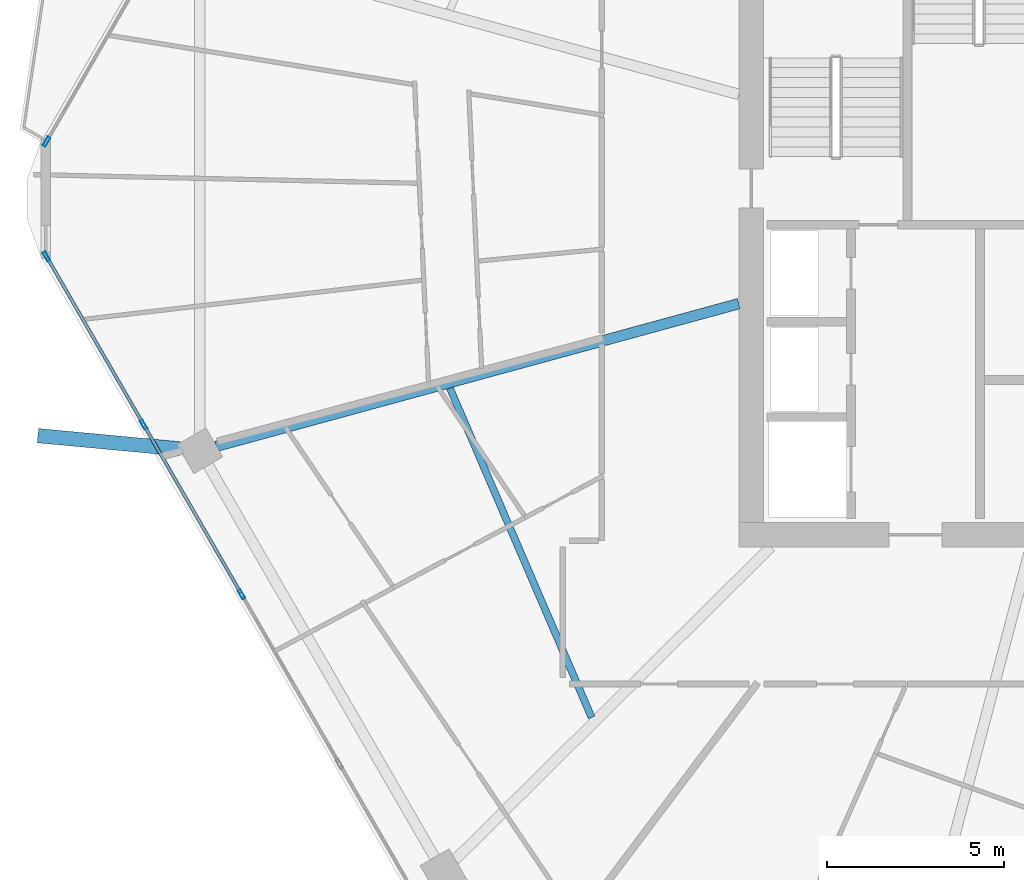
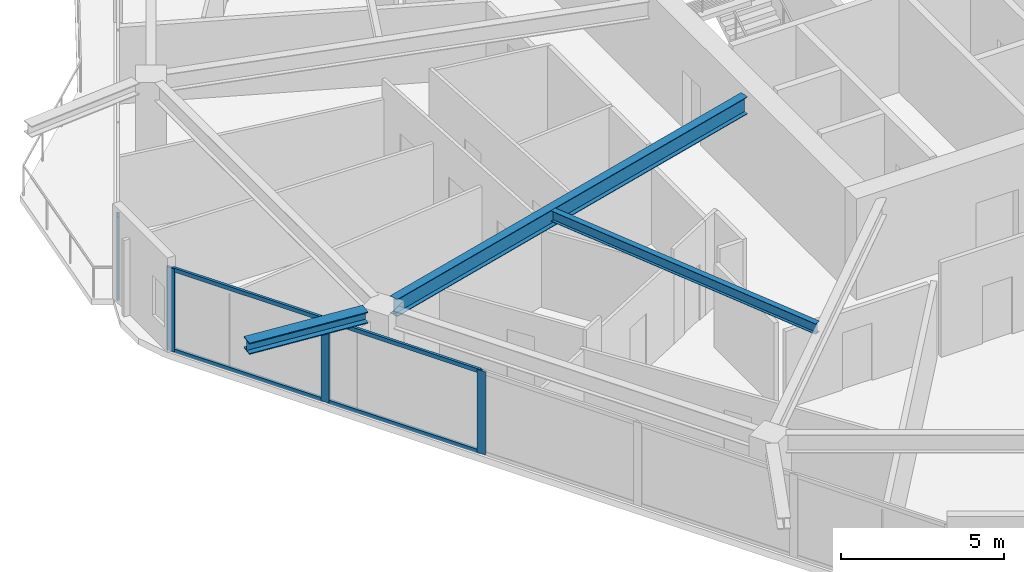
# One storey, part 5 of 27: 8 members, 3 beams, 2 elements without a shape of their own.
"""IFC4 building model written with IfcOpenShell, lengths in metres."""

from ifc_helpers import new_model, si_unit, direction, frame, origin, origin_2d, place, context, subcontext, project, spatial, hollow_rectangle, i_section, extrude, material, material_profile, profile_set, type_object, element, aggregate, save


model = new_model("IFC4")

# Units and contexts
model_context = context("Model", 3, precision=1e-05, world=origin(), true_north=direction((0.0, 1.0)))
body_context = subcontext(model_context, "Body", "Model", "MODEL_VIEW")
ifc_project = project(units=[si_unit("LENGTHUNIT", "METRE"), si_unit("AREAUNIT", "SQUARE_METRE"), si_unit("VOLUMEUNIT", "CUBIC_METRE"), si_unit("PLANEANGLEUNIT", "RADIAN"), si_unit("MASSUNIT", "GRAM", prefix="KILO")], contexts=[model_context])

# Site, building, storey
site_placement = place(None, origin())
site = spatial("IfcSite", under=ifc_project, at=site_placement, CompositionType="ELEMENT")
building_placement = place(site_placement, origin())
building = spatial("IfcBuilding", under=site, at=building_placement, Name="Zuhravey Tower", CompositionType="ELEMENT")
storey_placement = place(building_placement, frame((0.0, 0.0, 188.39990234375)))
storey = spatial("IfcBuildingStorey", under=building, at=storey_placement, Name="L47", CompositionType="ELEMENT", Elevation=188.39990234375)

# Curtain wall, members
ifc_material_1 = material(Name="Thermally broken anodised aluminium", Category="aluminium")
curtain_wall_type = type_object("IfcCurtainWallType", Name="Zone 1-2 Residential Curtain Wall CW3", PredefinedType="NOTDEFINED", material=ifc_material_1)
curtain_wall_1_placement = place(storey_placement, origin())
curtain_wall_1 = element("IfcCurtainWall", 1, at=curtain_wall_1_placement, inside=storey, type_object=curtain_wall_type, Name="L47 CW3 CW-L47-F4-1", PredefinedType="NOTDEFINED")
ifc_material_2 = material(Name="Anodised aluminium", Category="aluminium")
ifc_material_profile_1 = material_profile(ifc_material_2, hollow_rectangle(XDim=0.090087890625, YDim=0.284912109375, WallThickness=0.0048828125, at=origin_2d()), Name="ALU-RHS-90x285x5")
ifc_profile_set_1 = profile_set([ifc_material_profile_1], Name="Anodised aluminium")
member_type_1 = type_object("IfcMemberType", Name="Curtain-Wall Mullion 90x180", PredefinedType="MULLION", material=ifc_profile_set_1)
member_1_placement = place(storey_placement, frame((11.07275390625, 20.809326171875, 0.0), z_axis=(0.0, 0.0, 1.0), x_axis=(-0.866025138215, -0.500000459979, 0.0)))
member_1 = element("IfcMember", 2, at=member_1_placement, type_object=member_type_1, Name="CW3 mullion 4", PredefinedType="MULLION", context=body_context, shape_type="SweptSolid", body=[
    extrude(hollow_rectangle(XDim=0.090087890625, YDim=0.284912109375, WallThickness=0.0048828125, at=origin_2d()), origin(), (0.0, 0.0, 1.0), 3.1220703125),
])
member_2_placement = place(storey_placement, frame((8.300537109375, 25.61083984375, 0.0), z_axis=(0.0, 0.0, 1.0), x_axis=(-0.866025138215, -0.500000459979, 0.0)))
member_2 = element("IfcMember", 3, at=member_2_placement, type_object=member_type_1, Name="CW3 mullion 5", PredefinedType="MULLION", context=body_context, shape_type="SweptSolid", body=[
    extrude(hollow_rectangle(XDim=0.090087890625, YDim=0.284912109375, WallThickness=0.0048828125, at=origin_2d()), origin(), (0.0, 0.0, 1.0), 3.1220703125),
])
member_3_placement = place(storey_placement, frame((5.55078125, 30.37353515625, 0.0), z_axis=(0.0, 0.0, 1.0), x_axis=(-0.866025138215, -0.500000459979, 0.0)))
member_3 = element("IfcMember", 4, at=member_3_placement, type_object=member_type_1, Name="CW3 mullion 6", PredefinedType="MULLION", context=body_context, shape_type="SweptSolid", body=[
    extrude(hollow_rectangle(XDim=0.090087890625, YDim=0.284912109375, WallThickness=0.0048828125, at=origin_2d()), origin(), (0.0, 0.0, 1.0), 3.1220703125),
])

# Curtain wall, member
curtain_wall_2_placement = place(storey_placement, origin())
curtain_wall_2 = element("IfcCurtainWall", 5, at=curtain_wall_2_placement, inside=storey, type_object=curtain_wall_type, Name="L47 CW3 CW-L47-F3-1", PredefinedType="NOTDEFINED")
member_4_placement = place(storey_placement, frame((5.55078125, 33.62646484375, 0.0), z_axis=(0.0, 0.0, 1.0), x_axis=(-0.866026141211, 0.499998722737, 0.0)))
member_4 = element("IfcMember", 6, at=member_4_placement, type_object=member_type_1, Name="CW3 mullion 1", PredefinedType="MULLION", context=body_context, shape_type="SweptSolid", body=[
    extrude(hollow_rectangle(XDim=0.090087890625, YDim=0.284912109375, WallThickness=0.0048828125, at=origin_2d()), origin(), (0.0, 0.0, 1.0), 3.1220703125),
])
aggregate(curtain_wall_2, [member_4])

# Member
ifc_material_profile_2 = material_profile(ifc_material_2, hollow_rectangle(XDim=0.090087890625, YDim=0.14990234375, WallThickness=0.0048828125, at=origin_2d()), Name="ALU-RHS-90x150x5")
ifc_profile_set_2 = profile_set([ifc_material_profile_2], Name="Anodised aluminium")
member_type_2 = type_object("IfcMemberType", Name="Curtain-Wall Transom 90x150", PredefinedType="USERDEFINED", material=ifc_profile_set_2)
member_5_placement = place(storey_placement, frame((11.050048828125, 20.84814453125, 0.045166015625), z_axis=(-0.49996138257, 0.86604769842, 0.0), x_axis=(-0.86604769842, -0.49996138257, 0.0)))
member_5 = element("IfcMember", 7, at=member_5_placement, type_object=member_type_2, Name="CW3 transom 4.1", ObjectType="TRANSOM", PredefinedType="USERDEFINED", context=body_context, shape_type="SweptSolid", body=[
    extrude(hollow_rectangle(XDim=0.090087890625, YDim=0.14990234375, WallThickness=0.0048828125, at=origin_2d()), origin(), (0.0, 0.0, 1.0), 5.45458984375),
])

member_6_placement = place(storey_placement, frame((11.050048828125, 20.84814453125, 3.0771484375), z_axis=(-0.49996138257, 0.86604769842, 0.0), x_axis=(-0.86604769842, -0.49996138257, 0.0)))
member_6 = element("IfcMember", 8, at=member_6_placement, type_object=member_type_2, Name="CW3 transom 4.2", ObjectType="TRANSOM", PredefinedType="USERDEFINED", context=body_context, shape_type="SweptSolid", body=[
    extrude(hollow_rectangle(XDim=0.090087890625, YDim=0.14990234375, WallThickness=0.0048828125, at=origin_2d()), origin(), (0.0, 0.0, 1.0), 5.45458984375),
])

member_7_placement = place(storey_placement, frame((8.27783203125, 25.64990234375, 0.045166015625), z_axis=(-0.499993332629, 0.866029253159, 0.0), x_axis=(-0.866029253159, -0.499993332629, 0.0)))
member_7 = element("IfcMember", 9, at=member_7_placement, type_object=member_type_2, Name="CW3 transom 5.1", ObjectType="TRANSOM", PredefinedType="USERDEFINED", context=body_context, shape_type="SweptSolid", body=[
    extrude(hollow_rectangle(XDim=0.090087890625, YDim=0.14990234375, WallThickness=0.0048828125, at=origin_2d()), origin(), (0.0, 0.0, 1.0), 5.4091796875),
])

member_8_placement = place(storey_placement, frame((8.27783203125, 25.64990234375, 3.0771484375), z_axis=(-0.499993332629, 0.866029253159, 0.0), x_axis=(-0.866029253159, -0.499993332629, 0.0)))
member_8 = element("IfcMember", 10, at=member_8_placement, type_object=member_type_2, Name="CW3 transom 5.2", ObjectType="TRANSOM", PredefinedType="USERDEFINED", context=body_context, shape_type="SweptSolid", body=[
    extrude(hollow_rectangle(XDim=0.090087890625, YDim=0.14990234375, WallThickness=0.0048828125, at=origin_2d()), origin(), (0.0, 0.0, 1.0), 5.4091796875),
])

aggregate(curtain_wall_1, [member_1, member_2, member_3, member_5, member_6, member_7, member_8])

# Beams
ifc_material_3 = material(Name="Steel SM460", Category="steel")
ifc_material_profile_3 = material_profile(ifc_material_3, i_section(OverallWidth=0.406982421875, OverallDepth=0.427978515625, WebThickness=0.02001953125, FlangeThickness=0.034912109375, at=origin_2d()), Name="H-428x407x20x35")
ifc_profile_set_3 = profile_set([ifc_material_profile_3], Name="Steel SM460")
beam_type_1 = type_object("IfcBeamType", Name="Exoskeleton Node Tie Beam H428x407", PredefinedType="BEAM", material=ifc_profile_set_3)
beam_1_placement = place(storey_placement, frame((9.30859375, 24.927978515625, 3.336181640625), z_axis=(-0.995662575361, 0.0930378204, 0.0), x_axis=(-0.0930378204, -0.995662575361, 0.0)))
element("IfcBeam", 11, at=beam_1_placement, inside=storey, type_object=beam_type_1, Name="L47 Exoskeleton Node Tie NT1-07", PredefinedType="BEAM", context=body_context, shape_type="SweptSolid", body=[
    extrude(i_section(OverallWidth=0.406982421875, OverallDepth=0.427978515625, WebThickness=0.02001953125, FlangeThickness=0.034912109375, at=origin_2d()), origin(), (0.0, 0.0, 1.0), 4.02001953125),
])
ifc_material_4 = material(Name="Steel SM355", Category="steel")
ifc_material_profile_4 = material_profile(ifc_material_4, i_section(OverallWidth=0.300048828125, OverallDepth=0.64990234375, WebThickness=0.012939453125, FlangeThickness=0.02197265625, at=origin_2d()), Name="H-650x300x13x22")
ifc_profile_set_4 = profile_set([ifc_material_profile_4], Name="Steel SM355")
beam_type_2 = type_object("IfcBeamType", Name="Radial Primary Girder H650x300", PredefinedType="BEAM", material=ifc_profile_set_4)
beam_2_placement = place(storey_placement, frame((25.14697265625, 29.03759765625, 3.22509765625), z_axis=(-0.964701703464, -0.263345065139, 0.0), x_axis=(0.263345065139, -0.964701703464, 0.0)))
element("IfcBeam", 12, at=beam_2_placement, inside=storey, type_object=beam_type_2, Name="L47 RG2 BM-L47-RAD-07", PredefinedType="BEAM", context=body_context, shape_type="SweptSolid", body=[
    extrude(i_section(OverallWidth=0.300048828125, OverallDepth=0.64990234375, WebThickness=0.012939453125, FlangeThickness=0.02197265625, at=origin_2d()), origin(), (0.0, 0.0, 1.0), 15.334716796875),
])
ifc_material_profile_5 = material_profile(ifc_material_4, i_section(OverallWidth=0.199951171875, OverallDepth=0.39990234375, WebThickness=0.008056640625, FlangeThickness=0.012939453125, at=origin_2d()), Name="H-400x200x8x13")
ifc_profile_set_5 = profile_set([ifc_material_profile_5], Name="Steel SM355")
beam_type_3 = type_object("IfcBeamType", Name="Secondary Floor Joist H400x200", PredefinedType="JOIST", material=ifc_profile_set_5)
beam_3_placement = place(storey_placement, frame((16.970458984375, 26.6474609375, 3.35009765625), z_axis=(0.395265853487, -0.918566766799, 0.0), x_axis=(0.918566766799, 0.395265853487, 0.0)))
element("IfcBeam", 13, at=beam_3_placement, inside=storey, type_object=beam_type_3, Name="L47 SJ2 BM-L47-SJ-07-1", PredefinedType="JOIST", context=body_context, shape_type="SweptSolid", body=[
    extrude(i_section(OverallWidth=0.199951171875, OverallDepth=0.39990234375, WebThickness=0.008056640625, FlangeThickness=0.012939453125, at=origin_2d()), origin(), (0.0, 0.0, 1.0), 10.150146484375),
])

save(model, "model.ifc")
